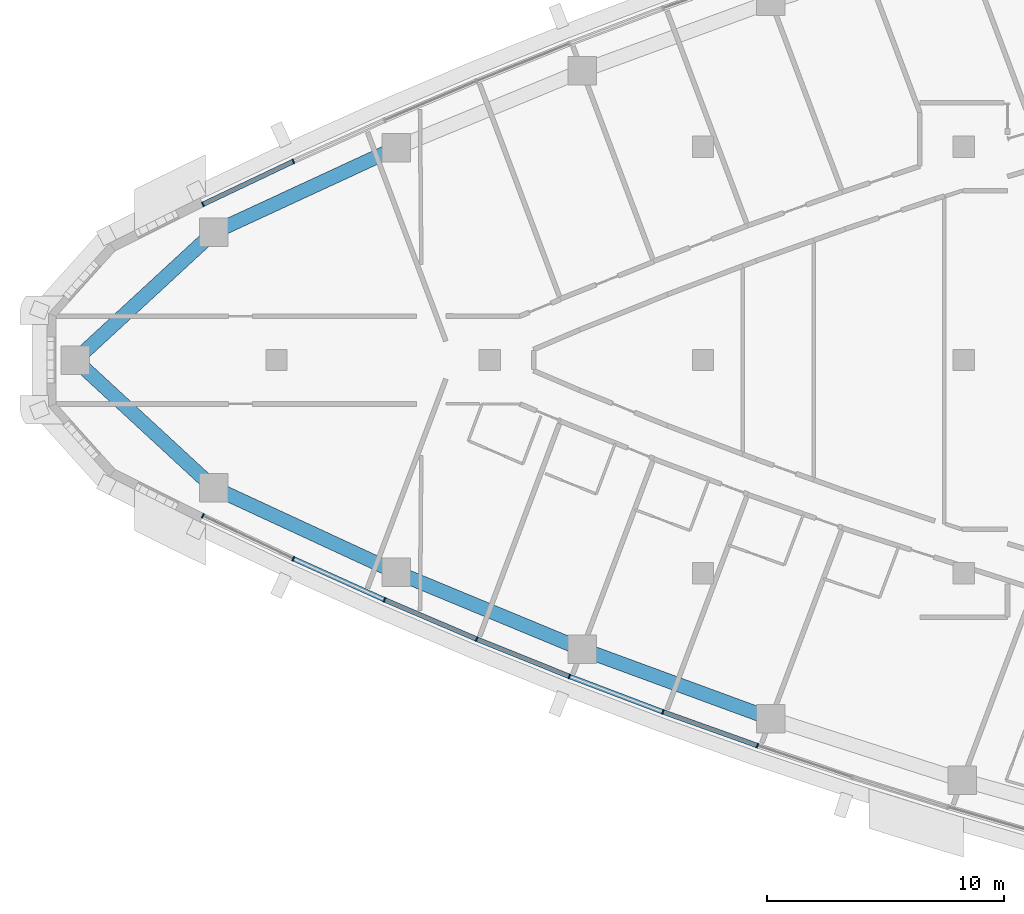
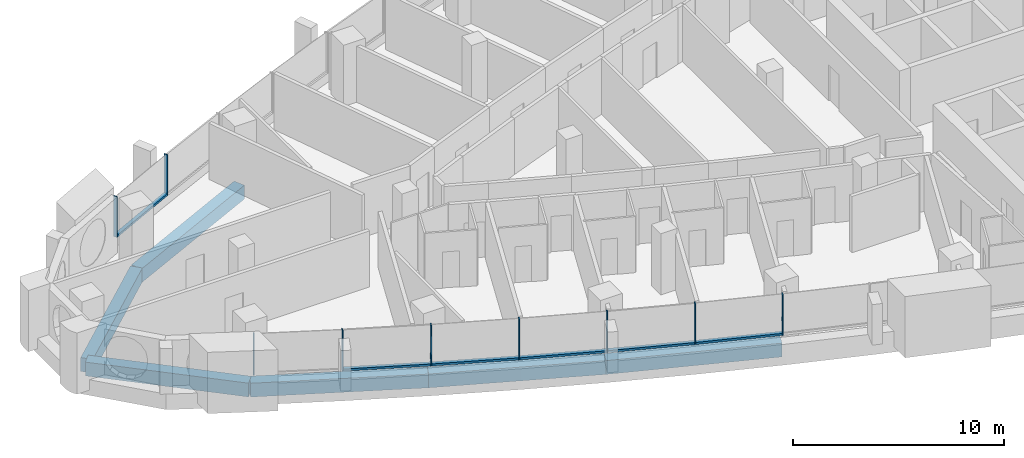
# One storey, part 2 of 16: 15 members, 6 beams, 4 elements without a shape of their own.
"""IFC4 building model written with IfcOpenShell, lengths in metres."""

from ifc_helpers import new_model, si_unit, direction, frame, origin, origin_2d, place, context, subcontext, project, spatial, rectangle, extrude, material, layer, layer_set, material_profile, profile_set, type_object, element, aggregate, save


model = new_model("IFC4")

# Units and contexts
model_context = context("Model", 3, precision=1e-05, world=origin(), true_north=direction((0.0, 1.0)))
body_context = subcontext(model_context, "Body", "Model", "MODEL_VIEW")
ifc_project = project(units=[si_unit("LENGTHUNIT", "METRE"), si_unit("AREAUNIT", "SQUARE_METRE"), si_unit("VOLUMEUNIT", "CUBIC_METRE"), si_unit("PLANEANGLEUNIT", "RADIAN"), si_unit("MASSUNIT", "GRAM", prefix="KILO")], contexts=[model_context])

# Site, building, storey
site_placement = place(None, origin())
site = spatial("IfcSite", under=ifc_project, at=site_placement, CompositionType="ELEMENT")
building_placement = place(site_placement, origin())
building = spatial("IfcBuilding", under=site, at=building_placement, Name="Ostrand Prow Hotel Tower", CompositionType="ELEMENT")
storey_placement = place(building_placement, frame((0.0, 0.0, 245.64990234375)))
storey = spatial("IfcBuildingStorey", under=building, at=storey_placement, Name="L62", CompositionType="ELEMENT", Elevation=245.64990234375)

# Beams
ifc_material_1 = material(Name="Concrete C50/60", Category="concrete")
ifc_material_profile_1 = material_profile(ifc_material_1, rectangle(XDim=0.60009765625, YDim=0.800048828125, at=origin_2d()), Name="RC 600x800")
ifc_profile_set_1 = profile_set([ifc_material_profile_1], Name="Concrete C50/60")
beam_type = type_object("IfcBeamType", Name="Edge beam 600x800 C50/60", PredefinedType="SPANDREL", material=ifc_profile_set_1)
beam_1_placement = place(storey_placement, frame((7.513916015625, 0.0, -0.699951171875), z_axis=(0.734806976358, -0.678276276672, 0.0), x_axis=(0.678276276672, 0.734806976358, 0.0)))
element("IfcBeam", 1, at=beam_1_placement, inside=storey, type_object=beam_type, Name="Edge beam P-S1", PredefinedType="SPANDREL", context=body_context, shape_type="SweptSolid", body=[
    extrude(rectangle(XDim=0.60009765625, YDim=0.800048828125, at=origin_2d()), origin(), (0.0, 0.0, 1.0), 7.95068359375),
])
beam_2_placement = place(storey_placement, frame((13.356201171875, -5.392822265625, -0.699951171875), z_axis=(0.907521936352, -0.420004684544, 0.0), x_axis=(0.420004684544, 0.907521936352, 0.0)))
element("IfcBeam", 2, at=beam_2_placement, inside=storey, type_object=beam_type, Name="Edge beam S1-S2", PredefinedType="SPANDREL", context=body_context, shape_type="SweptSolid", body=[
    extrude(rectangle(XDim=0.60009765625, YDim=0.800048828125, at=origin_2d()), origin(), (0.0, 0.0, 1.0), 8.4873046875),
])
for number, where, z_axis, x_axis, name in (
    (3, (21.05859375, -8.95751953125, -0.699951171875), (0.923890977326, -0.38265580097, 0.0), (0.38265580097, 0.923890977326, 0.0), "Edge beam S2-S3"),
    (4, (28.900146484375, -12.205322265625, -0.699951171875), (0.938684959139, -0.344776083113, 0.0), (0.344776083113, 0.938684959139, 0.0), "Edge beam S3-S4"),
):
    element("IfcBeam", number, at=place(storey_placement, frame(where, z_axis=z_axis, x_axis=x_axis)), inside=storey, type_object=beam_type, Name=name, PredefinedType="SPANDREL", context=body_context, shape_type="SweptSolid", body=[
        extrude(rectangle(XDim=0.60009765625, YDim=0.800048828125, at=origin_2d()), origin(), (0.0, 0.0, 1.0), 8.487548828125),
    ])
beam_3_placement = place(storey_placement, frame((21.05859375, 8.95751953125, -0.699951171875), z_axis=(-0.907521936352, -0.420004684544, 0.0), x_axis=(0.420004684544, -0.907521936352, 0.0)))
element("IfcBeam", 5, at=beam_3_placement, inside=storey, type_object=beam_type, Name="Edge beam N5-N6", PredefinedType="SPANDREL", context=body_context, shape_type="SweptSolid", body=[
    extrude(rectangle(XDim=0.60009765625, YDim=0.800048828125, at=origin_2d()), origin(), (0.0, 0.0, 1.0), 8.4873046875),
])
beam_4_placement = place(storey_placement, frame((13.356201171875, 5.392822265625, -0.699951171875), z_axis=(-0.734806976358, -0.678276276672, 0.0), x_axis=(0.678276276672, -0.734806976358, 0.0)))
element("IfcBeam", 6, at=beam_4_placement, inside=storey, type_object=beam_type, Name="Edge beam N6-P", PredefinedType="SPANDREL", context=body_context, shape_type="SweptSolid", body=[
    extrude(rectangle(XDim=0.60009765625, YDim=0.800048828125, at=origin_2d()), origin(), (0.0, 0.0, 1.0), 7.95068359375),
])

# Curtain wall, members
ifc_material_2 = material(Name="Insulated glass in bronze anodised frame", Category="glass")
ifc_layer = layer(ifc_material_2, 0.199951171875)
ifc_layer_set = layer_set([ifc_layer], Name="Insulated glass in bronze anodised frame")
curtain_wall_type = type_object("IfcCurtainWallType", Name="Strip curtain wall, fritted glass over bronze spandrel", PredefinedType="NOTDEFINED", material=ifc_layer_set)
curtain_wall_1_placement = place(storey_placement, origin())
curtain_wall_1 = element("IfcCurtainWall", 7, at=curtain_wall_1_placement, inside=storey, type_object=curtain_wall_type, Name="CW1 run CWS1", PredefinedType="NOTDEFINED")
ifc_material_3 = material(Name="Bronze anodised aluminium", Category="aluminium")
ifc_material_profile_2 = material_profile(ifc_material_3, rectangle(XDim=0.199951171875, YDim=0.06005859375, at=origin_2d()), Name="Mullion 60x200 bronze anodised aluminium")
ifc_profile_set_2 = profile_set([ifc_material_profile_2], Name="Bronze anodised aluminium")
member_type_1 = type_object("IfcMemberType", Name="Mullion 60x200 bronze anodised aluminium", PredefinedType="MULLION", material=ifc_profile_set_2)
member_1_placement = place(storey_placement, frame((12.893310546875, -6.57080078125, 0.900146484375), z_axis=(0.0, 0.0, 1.0), x_axis=(0.428861030937, 0.903370475577, 0.0)))
member_1 = element("IfcMember", 8, at=member_1_placement, type_object=member_type_1, Name="CW1 mullion 1", PredefinedType="MULLION", context=body_context, shape_type="SweptSolid", body=[
    extrude(rectangle(XDim=0.199951171875, YDim=0.06005859375, at=origin_2d()), origin(), (0.0, 0.0, 1.0), 2.349853515625),
])
member_2_placement = place(storey_placement, frame((16.708740234375, -8.382080078125, 0.900146484375), z_axis=(0.0, 0.0, 1.0), x_axis=(0.41058199404, 0.911823681514, 0.0)))
member_2 = element("IfcMember", 9, at=member_2_placement, type_object=member_type_1, Name="CW1 mullion 2", PredefinedType="MULLION", context=body_context, shape_type="SweptSolid", body=[
    extrude(rectangle(XDim=0.199951171875, YDim=0.06005859375, at=origin_2d()), origin(), (0.0, 0.0, 1.0), 2.349853515625),
])
member_3_placement = place(storey_placement, frame((20.56005859375, -10.116455078125, 0.900146484375), z_axis=(0.0, 0.0, 1.0), x_axis=(0.41058199404, 0.911823681514, 0.0)))
member_3 = element("IfcMember", 10, at=member_3_placement, type_object=member_type_1, Name="CW1 mullion 3", PredefinedType="MULLION", context=body_context, shape_type="SweptSolid", body=[
    extrude(rectangle(XDim=0.199951171875, YDim=0.06005859375, at=origin_2d()), origin(), (0.0, 0.0, 1.0), 2.349853515625),
])

curtain_wall_2_placement = place(storey_placement, origin())
curtain_wall_2 = element("IfcCurtainWall", 11, at=curtain_wall_2_placement, inside=storey, type_object=curtain_wall_type, Name="CW1 run CWS2", PredefinedType="NOTDEFINED")
member_4_placement = place(storey_placement, frame((24.445556640625, -11.772705078125, 0.900146484375), z_axis=(0.0, 0.0, 1.0), x_axis=(0.373533449004, 0.927616710972, 0.0)))
member_4 = element("IfcMember", 12, at=member_4_placement, type_object=member_type_1, Name="CW1 mullion 2", PredefinedType="MULLION", context=body_context, shape_type="SweptSolid", body=[
    extrude(rectangle(XDim=0.199951171875, YDim=0.06005859375, at=origin_2d()), origin(), (0.0, 0.0, 1.0), 2.349853515625),
])
member_5_placement = place(storey_placement, frame((28.363525390625, -13.350341796875, 0.900146484375), z_axis=(0.0, 0.0, 1.0), x_axis=(0.373533449004, 0.927616710972, 0.0)))
member_5 = element("IfcMember", 13, at=member_5_placement, type_object=member_type_1, Name="CW1 mullion 3", PredefinedType="MULLION", context=body_context, shape_type="SweptSolid", body=[
    extrude(rectangle(XDim=0.199951171875, YDim=0.06005859375, at=origin_2d()), origin(), (0.0, 0.0, 1.0), 2.349853515625),
])

curtain_wall_3_placement = place(storey_placement, origin())
curtain_wall_3 = element("IfcCurtainWall", 14, at=curtain_wall_3_placement, inside=storey, type_object=curtain_wall_type, Name="CW1 run CWS3", PredefinedType="NOTDEFINED")
member_6_placement = place(storey_placement, frame((32.3125, -14.848876953125, 0.900146484375), z_axis=(0.0, 0.0, 1.0), x_axis=(0.335877383374, 0.941905718922, 0.0)))
member_6 = element("IfcMember", 15, at=member_6_placement, type_object=member_type_1, Name="CW1 mullion 2", PredefinedType="MULLION", context=body_context, shape_type="SweptSolid", body=[
    extrude(rectangle(XDim=0.199951171875, YDim=0.06005859375, at=origin_2d()), origin(), (0.0, 0.0, 1.0), 2.349853515625),
])
member_7_placement = place(storey_placement, frame((36.291015625, -16.267578125, 0.900146484375), z_axis=(0.0, 0.0, 1.0), x_axis=(0.335877383374, 0.941905718922, 0.0)))
member_7 = element("IfcMember", 16, at=member_7_placement, type_object=member_type_1, Name="CW1 mullion 3", PredefinedType="MULLION", context=body_context, shape_type="SweptSolid", body=[
    extrude(rectangle(XDim=0.199951171875, YDim=0.06005859375, at=origin_2d()), origin(), (0.0, 0.0, 1.0), 2.349853515625),
])

curtain_wall_4_placement = place(storey_placement, origin())
curtain_wall_4 = element("IfcCurtainWall", 17, at=curtain_wall_4_placement, inside=storey, type_object=curtain_wall_type, Name="CW1 run CWN5", PredefinedType="NOTDEFINED")
member_8_placement = place(storey_placement, frame((16.708740234375, 8.382080078125, 0.900146484375), z_axis=(0.0, 0.0, 1.0), x_axis=(0.428861030937, -0.903370475577, 0.0)))
member_8 = element("IfcMember", 18, at=member_8_placement, type_object=member_type_1, Name="CW1 mullion 2", PredefinedType="MULLION", context=body_context, shape_type="SweptSolid", body=[
    extrude(rectangle(XDim=0.199951171875, YDim=0.06005859375, at=origin_2d()), origin(), (0.0, 0.0, 1.0), 2.349853515625),
])
member_9_placement = place(storey_placement, frame((12.893310546875, 6.57080078125, 0.900146484375), z_axis=(0.0, 0.0, 1.0), x_axis=(0.428861030937, -0.903370475577, 0.0)))
member_9 = element("IfcMember", 19, at=member_9_placement, type_object=member_type_1, Name="CW1 mullion 3", PredefinedType="MULLION", context=body_context, shape_type="SweptSolid", body=[
    extrude(rectangle(XDim=0.199951171875, YDim=0.06005859375, at=origin_2d()), origin(), (0.0, 0.0, 1.0), 2.349853515625),
])

# Member
ifc_material_4 = material(Name="Bronze anodised aluminium", Category="aluminium")
ifc_material_profile_3 = material_profile(ifc_material_4, rectangle(XDim=0.199951171875, YDim=0.1201171875, at=origin_2d()), Name="Transom 120x200 bronze anodised aluminium")
ifc_profile_set_3 = profile_set([ifc_material_profile_3], Name="Bronze anodised aluminium")
member_type_2 = type_object("IfcMemberType", Name="Transom 120x200 bronze anodised aluminium", PredefinedType="USERDEFINED", material=ifc_profile_set_3)
member_10_placement = place(storey_placement, frame((16.736083984375, -8.39453125, 0.960205078125), z_axis=(0.911832617051, -0.410562149353, 0.0), x_axis=(0.410562149353, 0.911832617051, 0.0)))
member_10 = element("IfcMember", 20, at=member_10_placement, type_object=member_type_2, Name="CW1 transom 2.1", ObjectType="TRANSOM", PredefinedType="USERDEFINED", context=body_context, shape_type="SweptSolid", body=[
    extrude(rectangle(XDim=0.199951171875, YDim=0.1201171875, at=origin_2d()), origin(), (0.0, 0.0, 1.0), 4.163818359375),
])

aggregate(curtain_wall_1, [member_1, member_2, member_3, member_10])

member_11_placement = place(storey_placement, frame((20.587646484375, -10.128173828125, 0.960205078125), z_axis=(0.919904541337, -0.392142365509, 0.0), x_axis=(0.392142365509, 0.919904541337, 0.0)))
member_11 = element("IfcMember", 21, at=member_11_placement, type_object=member_type_2, Name="CW1 transom 1.1", ObjectType="TRANSOM", PredefinedType="USERDEFINED", context=body_context, shape_type="SweptSolid", body=[
    extrude(rectangle(XDim=0.199951171875, YDim=0.1201171875, at=origin_2d()), origin(), (0.0, 0.0, 1.0), 4.163818359375),
])

member_12_placement = place(storey_placement, frame((24.473388671875, -11.783935546875, 0.960205078125), z_axis=(0.927625049372, -0.373512741119, 0.0), x_axis=(0.373512741119, 0.927625049372, 0.0)))
member_12 = element("IfcMember", 22, at=member_12_placement, type_object=member_type_2, Name="CW1 transom 2.1", ObjectType="TRANSOM", PredefinedType="USERDEFINED", context=body_context, shape_type="SweptSolid", body=[
    extrude(rectangle(XDim=0.199951171875, YDim=0.1201171875, at=origin_2d()), origin(), (0.0, 0.0, 1.0), 4.16357421875),
])

aggregate(curtain_wall_2, [member_4, member_5, member_11, member_12])

member_13_placement = place(storey_placement, frame((28.3916015625, -13.361083984375, 0.960205078125), z_axis=(0.934960644813, -0.354751451936, 0.0), x_axis=(0.354751451936, 0.934960644813, 0.0)))
member_13 = element("IfcMember", 23, at=member_13_placement, type_object=member_type_2, Name="CW1 transom 1.1", ObjectType="TRANSOM", PredefinedType="USERDEFINED", context=body_context, shape_type="SweptSolid", body=[
    extrude(rectangle(XDim=0.199951171875, YDim=0.1201171875, at=origin_2d()), origin(), (0.0, 0.0, 1.0), 4.16357421875),
])

member_14_placement = place(storey_placement, frame((32.3408203125, -14.85888671875, 0.960205078125), z_axis=(0.941911594104, -0.335860907061, 0.0), x_axis=(0.335860907061, 0.941911594104, 0.0)))
member_14 = element("IfcMember", 24, at=member_14_placement, type_object=member_type_2, Name="CW1 transom 2.1", ObjectType="TRANSOM", PredefinedType="USERDEFINED", context=body_context, shape_type="SweptSolid", body=[
    extrude(rectangle(XDim=0.199951171875, YDim=0.1201171875, at=origin_2d()), origin(), (0.0, 0.0, 1.0), 4.163818359375),
])

aggregate(curtain_wall_3, [member_6, member_7, member_13, member_14])

member_15_placement = place(storey_placement, frame((16.681640625, 8.369384765625, 0.960205078125), z_axis=(-0.903364977925, -0.428872611226, 0.0), x_axis=(0.428872611226, -0.903364977925, 0.0)))
member_15 = element("IfcMember", 25, at=member_15_placement, type_object=member_type_2, Name="CW1 transom 2.1", ObjectType="TRANSOM", PredefinedType="USERDEFINED", context=body_context, shape_type="SweptSolid", body=[
    extrude(rectangle(XDim=0.199951171875, YDim=0.1201171875, at=origin_2d()), origin(), (0.0, 0.0, 1.0), 4.16357421875),
])

aggregate(curtain_wall_4, [member_8, member_9, member_15])

save(model, "model.ifc")
